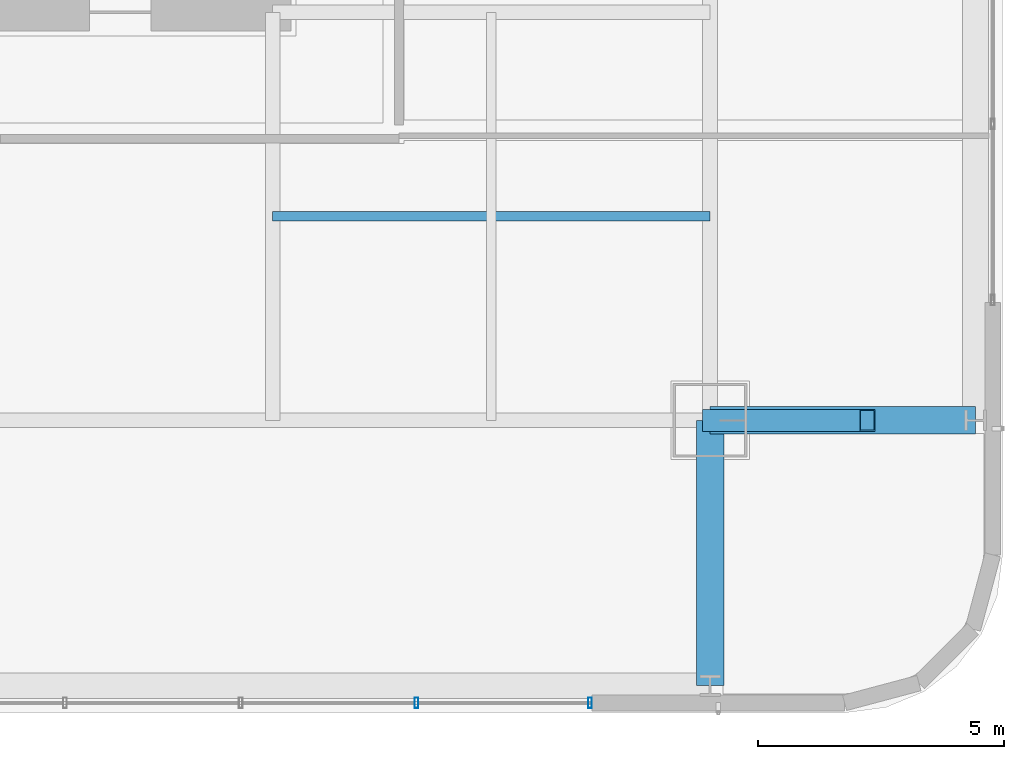
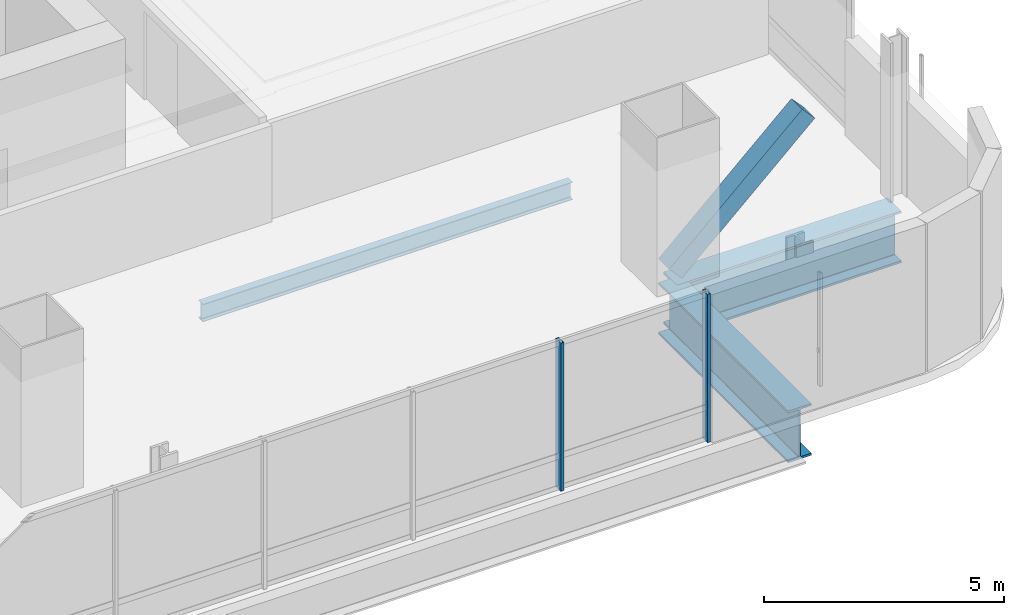
# One storey, part 12 of 42: 3 beams, 3 members, 1 element without a shape of its own.
"""IFC4 building model written with IfcOpenShell, lengths in metres."""

from ifc_helpers import new_model, si_unit, direction, frame, origin, origin_2d, place, context, subcontext, project, spatial, hollow_rectangle, i_section, extrude, material, material_profile, profile_set, type_object, element, aggregate, save


model = new_model("IFC4")

# Units and contexts
model_context = context("Model", 3, precision=1e-05, world=origin(), true_north=direction((0.0, 1.0)))
body_context = subcontext(model_context, "Body", "Model", "MODEL_VIEW")
ifc_project = project(units=[si_unit("LENGTHUNIT", "METRE"), si_unit("AREAUNIT", "SQUARE_METRE"), si_unit("VOLUMEUNIT", "CUBIC_METRE"), si_unit("PLANEANGLEUNIT", "RADIAN"), si_unit("MASSUNIT", "GRAM", prefix="KILO")], contexts=[model_context])

# Site, building, storey
site_placement = place(None, origin())
site = spatial("IfcSite", under=ifc_project, at=site_placement, CompositionType="ELEMENT")
building_placement = place(site_placement, origin())
building = spatial("IfcBuilding", under=site, at=building_placement, Name="Punatoya Terracotta Tower", CompositionType="ELEMENT")
storey_placement = place(building_placement, frame((0.0, 0.0, 88.949951171875)))
storey = spatial("IfcBuildingStorey", under=building, at=storey_placement, Name="L20", CompositionType="ELEMENT", Elevation=88.949951171875)

# Beams
ifc_material_1 = material(Name="Steel S355", Category="steel")
ifc_material_profile_1 = material_profile(ifc_material_1, i_section(OverallWidth=0.18994140625, OverallDepth=0.449951171875, WebThickness=0.009521484375, FlangeThickness=0.0146484375, FilletRadius=0.01806640625, at=origin_2d()))
ifc_profile_set_1 = profile_set([ifc_material_profile_1], Name="Steel S355")
beam_type_1 = type_object("IfcBeamType", Name="BM-SEC-450", PredefinedType="JOIST", material=ifc_profile_set_1)
beam_placement = place(storey_placement, frame((10.199951171875, -13.35009765625, -0.46484375), z_axis=(1.0, 0.0, 0.0), x_axis=(0.0, 1.0, 0.0)))
element("IfcBeam", 1, at=beam_placement, inside=storey, type_object=beam_type_1, Name="BM-L20-SJS-2", PredefinedType="JOIST", context=body_context, shape_type="SweptSolid", body=[
    extrude(i_section(OverallWidth=0.18994140625, OverallDepth=0.449951171875, WebThickness=0.009521484375, FlangeThickness=0.0146484375, FilletRadius=0.01806640625, at=origin_2d()), origin(), (0.0, 0.0, 1.0), 8.900146484375),
])
ifc_material_2 = material(Name="Steel S460", Category="steel")
ifc_material_profile_2 = material_profile(ifc_material_2, i_section(OverallWidth=0.56005859375, OverallDepth=1.320068359375, WebThickness=0.035888671875, FlangeThickness=0.054931640625, FilletRadius=0.01806640625, at=origin_2d()))
ifc_profile_set_2 = profile_set([ifc_material_profile_2], Name="Steel S460")
beam_type_2 = type_object("IfcBeamType", Name="BM-TG-BLK", PredefinedType="BEAM", material=ifc_profile_set_2)
for number, where, z_axis, x_axis, name in (
    (2, (19.10009765625, -17.5, -0.89990234375), (1.0, 0.0, 0.0), (0.0, 1.0, 0.0), "BM-L20-CANT-E1"),
    (3, (19.10009765625, -22.89990234375, -0.89990234375), (0.0, 1.0, 0.0), (-1.0, 0.0, 0.0), "BM-L20-CANT-S4"),
):
    element("IfcBeam", number, at=place(storey_placement, frame(where, z_axis=z_axis, x_axis=x_axis)), inside=storey, type_object=beam_type_2, Name=name, PredefinedType="BEAM", context=body_context, shape_type="SweptSolid", body=[
        extrude(i_section(OverallWidth=0.56005859375, OverallDepth=1.320068359375, WebThickness=0.035888671875, FlangeThickness=0.054931640625, FilletRadius=0.01806640625, at=origin_2d()), origin(), (0.0, 0.0, 1.0), 5.39990234375),
    ])

# Curtain wall, members
ifc_material_3 = material(Name="Aluminium 6063-T6 + Double Low-E Glass", Category="aluminium")
curtain_wall_type = type_object("IfcCurtainWallType", Name="CW-M1", PredefinedType="NOTDEFINED", material=ifc_material_3)
curtain_wall_placement = place(storey_placement, origin())
curtain_wall = element("IfcCurtainWall", 4, at=curtain_wall_placement, inside=storey, type_object=curtain_wall_type, Name="L20 Curtain Wall CW-L20-S01-1", PredefinedType="NOTDEFINED")
ifc_material_4 = material(Name="Aluminium 6063-T6", Category="aluminium")
ifc_material_profile_3 = material_profile(ifc_material_4, hollow_rectangle(XDim=0.074951171875, YDim=0.2099609375, WallThickness=0.00439453125, at=origin_2d()))
ifc_profile_set_3 = profile_set([ifc_material_profile_3], Name="Aluminium 6063-T6")
member_type_1 = type_object("IfcMemberType", Name="CW-MUL-M1", PredefinedType="MULLION", material=ifc_profile_set_3)
member_1_placement = place(storey_placement, frame((13.125, -23.25, 0.0), z_axis=(0.0, 0.0, 1.0), x_axis=(1.0, 0.0, 0.0)))
member_1 = element("IfcMember", 5, at=member_1_placement, type_object=member_type_1, Name="CW-L20-S01-1 Mullion 07", PredefinedType="MULLION", context=body_context, shape_type="SweptSolid", body=[
    extrude(hollow_rectangle(XDim=0.074951171875, YDim=0.2099609375, WallThickness=0.00439453125, at=origin_2d()), origin(), (0.0, 0.0, 1.0), 3.77001953125),
])
member_2_placement = place(storey_placement, frame((16.655029296875, -23.25, 0.0), z_axis=(0.0, 0.0, 1.0), x_axis=(1.0, 0.0, 0.0)))
member_2 = element("IfcMember", 6, at=member_2_placement, type_object=member_type_1, Name="CW-L20-S01-1 Mullion 08", PredefinedType="MULLION", context=body_context, shape_type="SweptSolid", body=[
    extrude(hollow_rectangle(XDim=0.074951171875, YDim=0.2099609375, WallThickness=0.00439453125, at=origin_2d()), origin(), (0.0, 0.0, 1.0), 3.77001953125),
])
aggregate(curtain_wall, [member_1, member_2])

# Member
ifc_material_profile_4 = material_profile(ifc_material_2, hollow_rectangle(XDim=0.449951171875, YDim=0.449951171875, WallThickness=0.02490234375, at=origin_2d()))
ifc_profile_set_4 = profile_set([ifc_material_profile_4], Name="Steel S460")
member_type_2 = type_object("IfcMemberType", Name="MEM-STR-450", PredefinedType="STRUT", material=ifc_profile_set_4)
member_3_placement = place(storey_placement, frame((19.10009765625, -17.5, 0.02001953125), z_axis=(0.735244168043, 0.0, 0.677802340922), x_axis=(0.0, 1.0, 0.0)))
element("IfcMember", 7, at=member_3_placement, inside=storey, type_object=member_type_2, Name="L21 Cantilever Raking Knee-Strut E1", PredefinedType="STRUT", context=body_context, shape_type="SweptSolid", body=[
    extrude(hollow_rectangle(XDim=0.449951171875, YDim=0.449951171875, WallThickness=0.02490234375, at=origin_2d()), origin(), (0.0, 0.0, 1.0), 4.352294921875),
])

save(model, "model.ifc")
